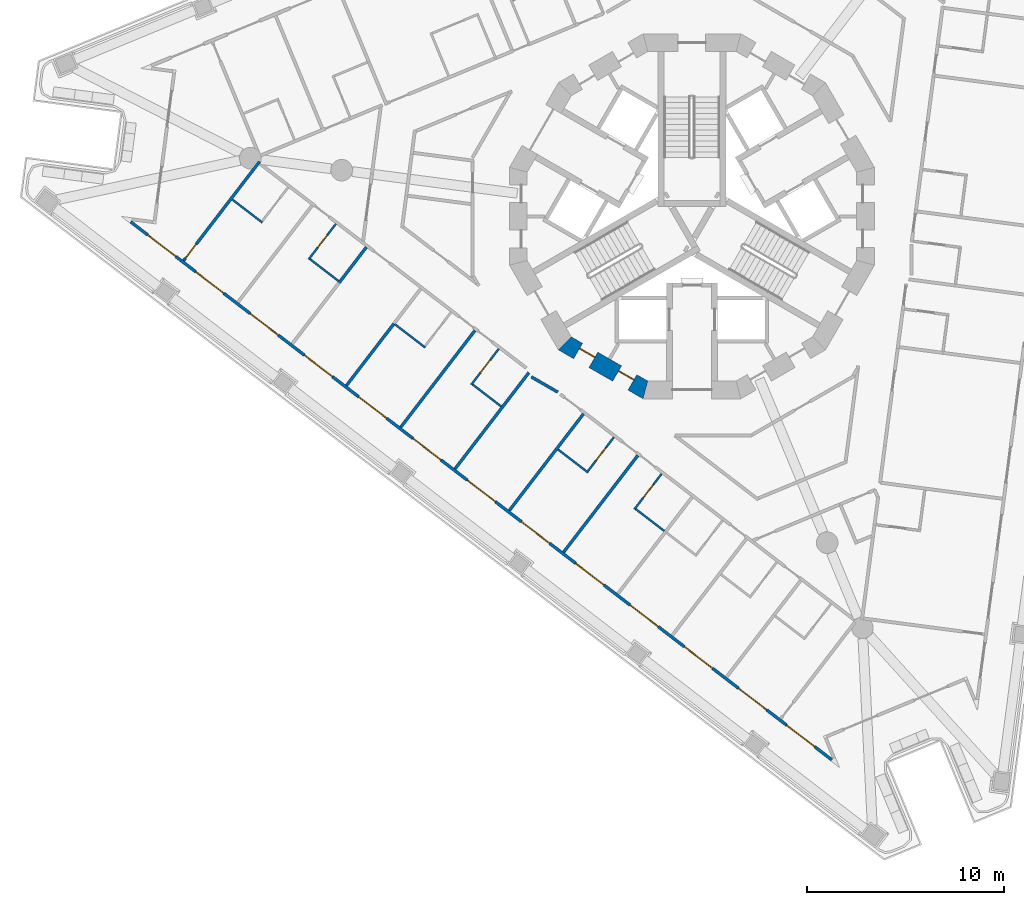
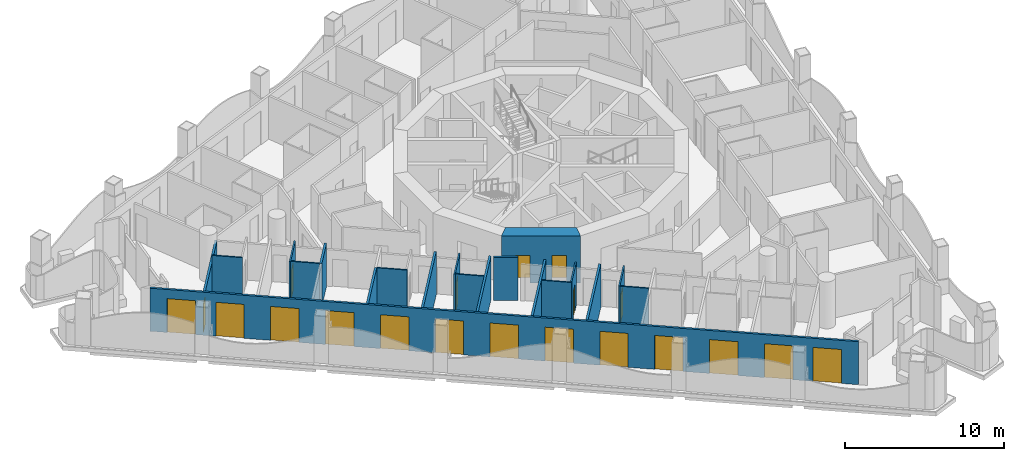
# One storey, part 2 of 18: 20 doors, 20 walls, 20 openings.
"""IFC4 building model written with IfcOpenShell, lengths in metres."""

from ifc_helpers import new_model, si_unit, direction, frame, frame_2d, origin, place, context, subcontext, project, spatial, polyline, rectangle, outline, extrude, material, layer, layer_set, type_object, element, fill, save


model = new_model("IFC4")

# Units and contexts
model_context = context("Model", 3, precision=1e-05, world=origin(), true_north=direction((0.0, 1.0)))
body_context = subcontext(model_context, "Body", "Model", "MODEL_VIEW")
ifc_project = project(units=[si_unit("LENGTHUNIT", "METRE"), si_unit("AREAUNIT", "SQUARE_METRE"), si_unit("VOLUMEUNIT", "CUBIC_METRE"), si_unit("PLANEANGLEUNIT", "RADIAN"), si_unit("MASSUNIT", "GRAM", prefix="KILO")], contexts=[model_context])

# Site, building, storey
site_placement = place(None, origin())
site = spatial("IfcSite", under=ifc_project, at=site_placement, CompositionType="ELEMENT")
building_placement = place(site_placement, origin())
building = spatial("IfcBuilding", under=site, at=building_placement, Name="Trine Commons Tower", CompositionType="ELEMENT")
storey_placement = place(building_placement, frame((0.0, 0.0, 145.800048828125)))
storey = spatial("IfcBuildingStorey", under=building, at=storey_placement, Name="L37", CompositionType="ELEMENT", Elevation=145.800048828125)

# Wall, openings, doors
ifc_material_1 = material(Name="Aluminium-framed insulated wall panel", Category="aluminium")
ifc_layer_1 = layer(ifc_material_1, 0.14990234375)
ifc_layer_set_1 = layer_set([ifc_layer_1], Name="Aluminium-framed insulated wall panel")
wall_type_1 = type_object("IfcWallType", Name="Glazed frame wall 150, EI 60", PredefinedType="SOLIDWALL", material=ifc_layer_set_1)
wall_1_placement = place(storey_placement, frame((87.22509765625, 34.786376953125, 0.0), z_axis=(0.0, 0.0, 1.0), x_axis=(-0.793353605974, 0.608761082764, 0.0)))
wall_1 = element("IfcWall", 1, at=wall_1_placement, inside=storey, type_object=wall_type_1, Name="Glazed frame wall F3", PredefinedType="SOLIDWALL", context=body_context, shape_type="SweptSolid", body=[
    extrude(outline(polyline([(0.1494140625, 0.074951171875), (0.1494140625, -0.074951171875), (45.056884765625, -0.074951171875), (45.056884765625, 0.074951171875), (0.1494140625, 0.074951171875)])), origin(), (0.0, 0.0, 1.0), 3.300048828125),
])
opening_1_placement = place(wall_1_placement, frame((1.23876953125, 0.0, 0.0)))
opening_1 = element("IfcOpeningElement", 2, at=opening_1_placement, cuts=wall_1, Name="Opening BD-4F3-01", PredefinedType="OPENING", context=body_context, shape_type="SweptSolid", body=[
    extrude(rectangle(XDim=1.800048828125, YDim=2.60009765625, at=frame_2d((0.89990234375, 1.300048828125))), frame((0.0, 0.0849609375, 0.0), z_axis=(0.0, -1.0, 0.0), x_axis=(1.0, 0.0, 0.0)), (0.0, 0.0, 1.0), 0.169921875),
])
opening_2_placement = place(wall_1_placement, frame((4.316162109375, 0.0, 0.0)))
opening_2 = element("IfcOpeningElement", 3, at=opening_2_placement, cuts=wall_1, Name="Opening BD-4F3-02", PredefinedType="OPENING", context=body_context, shape_type="SweptSolid", body=[
    extrude(rectangle(XDim=1.800048828125, YDim=2.60009765625, at=frame_2d((0.89990234375, 1.300048828125))), frame((0.0, 0.0849609375, 0.0), z_axis=(0.0, -1.0, 0.0), x_axis=(1.0, 0.0, 0.0)), (0.0, 0.0, 1.0), 0.169921875),
])
opening_3_placement = place(wall_1_placement, frame((7.79345703125, 0.0, 0.0)))
opening_3 = element("IfcOpeningElement", 4, at=opening_3_placement, cuts=wall_1, Name="Opening BD-4F3-03", PredefinedType="OPENING", context=body_context, shape_type="SweptSolid", body=[
    extrude(rectangle(XDim=1.800048828125, YDim=2.60009765625, at=frame_2d((0.89990234375, 1.300048828125))), frame((0.0, 0.0849609375, 0.0), z_axis=(0.0, -1.0, 0.0), x_axis=(1.0, 0.0, 0.0)), (0.0, 0.0, 1.0), 0.169921875),
])
opening_4_placement = place(wall_1_placement, frame((11.27099609375, 0.0, 0.0)))
opening_4 = element("IfcOpeningElement", 5, at=opening_4_placement, cuts=wall_1, Name="Opening BD-4F3-04", PredefinedType="OPENING", context=body_context, shape_type="SweptSolid", body=[
    extrude(rectangle(XDim=1.800048828125, YDim=2.60009765625, at=frame_2d((0.89990234375, 1.300048828125))), frame((0.0, 0.0849609375, 0.0), z_axis=(0.0, -1.0, 0.0), x_axis=(1.0, 0.0, 0.0)), (0.0, 0.0, 1.0), 0.169921875),
])
opening_5_placement = place(wall_1_placement, frame((14.748291015625, 0.0, 0.0)))
opening_5 = element("IfcOpeningElement", 6, at=opening_5_placement, cuts=wall_1, Name="Opening BD-4F3-05", PredefinedType="OPENING", context=body_context, shape_type="SweptSolid", body=[
    extrude(rectangle(XDim=1.800048828125, YDim=2.60009765625, at=frame_2d((0.89990234375, 1.300048828125))), frame((0.0, 0.0849609375, 0.0), z_axis=(0.0, -1.0, 0.0), x_axis=(1.0, 0.0, 0.0)), (0.0, 0.0, 1.0), 0.169921875),
])
opening_6_placement = place(wall_1_placement, frame((18.2255859375, 0.0, 0.0)))
opening_6 = element("IfcOpeningElement", 7, at=opening_6_placement, cuts=wall_1, Name="Opening BD-4F3-06", PredefinedType="OPENING", context=body_context, shape_type="SweptSolid", body=[
    extrude(rectangle(XDim=1.800048828125, YDim=2.60009765625, at=frame_2d((0.89990234375, 1.300048828125))), frame((0.0, 0.0849609375, 0.0), z_axis=(0.0, -1.0, 0.0), x_axis=(1.0, 0.0, 0.0)), (0.0, 0.0, 1.0), 0.169921875),
])
opening_7_placement = place(wall_1_placement, frame((21.703125, 0.0, 0.0)))
opening_7 = element("IfcOpeningElement", 8, at=opening_7_placement, cuts=wall_1, Name="Opening BD-4F3-07", PredefinedType="OPENING", context=body_context, shape_type="SweptSolid", body=[
    extrude(rectangle(XDim=1.800048828125, YDim=2.60009765625, at=frame_2d((0.89990234375, 1.300048828125))), frame((0.0, 0.0849609375, 0.0), z_axis=(0.0, -1.0, 0.0), x_axis=(1.0, 0.0, 0.0)), (0.0, 0.0, 1.0), 0.169921875),
])
opening_8_placement = place(wall_1_placement, frame((25.180419921875, 0.0, 0.0)))
opening_8 = element("IfcOpeningElement", 9, at=opening_8_placement, cuts=wall_1, Name="Opening BD-4F3-08", PredefinedType="OPENING", context=body_context, shape_type="SweptSolid", body=[
    extrude(rectangle(XDim=1.800048828125, YDim=2.60009765625, at=frame_2d((0.89990234375, 1.300048828125))), frame((0.0, 0.0849609375, 0.0), z_axis=(0.0, -1.0, 0.0), x_axis=(1.0, 0.0, 0.0)), (0.0, 0.0, 1.0), 0.169921875),
])
opening_9_placement = place(wall_1_placement, frame((28.657958984375, 0.0, 0.0)))
opening_9 = element("IfcOpeningElement", 10, at=opening_9_placement, cuts=wall_1, Name="Opening BD-4F3-09", PredefinedType="OPENING", context=body_context, shape_type="SweptSolid", body=[
    extrude(rectangle(XDim=1.800048828125, YDim=2.60009765625, at=frame_2d((0.89990234375, 1.300048828125))), frame((0.0, 0.0849609375, 0.0), z_axis=(0.0, -1.0, 0.0), x_axis=(1.0, 0.0, 0.0)), (0.0, 0.0, 1.0), 0.169921875),
])
opening_10_placement = place(wall_1_placement, frame((32.13525390625, 0.0, 0.0)))
opening_10 = element("IfcOpeningElement", 11, at=opening_10_placement, cuts=wall_1, Name="Opening BD-4F3-10", PredefinedType="OPENING", context=body_context, shape_type="SweptSolid", body=[
    extrude(rectangle(XDim=1.800048828125, YDim=2.60009765625, at=frame_2d((0.89990234375, 1.300048828125))), frame((0.0, 0.0849609375, 0.0), z_axis=(0.0, -1.0, 0.0), x_axis=(1.0, 0.0, 0.0)), (0.0, 0.0, 1.0), 0.169921875),
])
opening_11_placement = place(wall_1_placement, frame((35.61279296875, 0.0, 0.0)))
opening_11 = element("IfcOpeningElement", 12, at=opening_11_placement, cuts=wall_1, Name="Opening BD-4F3-11", PredefinedType="OPENING", context=body_context, shape_type="SweptSolid", body=[
    extrude(rectangle(XDim=1.800048828125, YDim=2.60009765625, at=frame_2d((0.89990234375, 1.300048828125))), frame((0.0, 0.0849609375, 0.0), z_axis=(0.0, -1.0, 0.0), x_axis=(1.0, 0.0, 0.0)), (0.0, 0.0, 1.0), 0.169921875),
])
opening_12_placement = place(wall_1_placement, frame((39.090087890625, 0.0, 0.0)))
opening_12 = element("IfcOpeningElement", 13, at=opening_12_placement, cuts=wall_1, Name="Opening BD-4F3-12", PredefinedType="OPENING", context=body_context, shape_type="SweptSolid", body=[
    extrude(rectangle(XDim=1.800048828125, YDim=2.60009765625, at=frame_2d((0.89990234375, 1.300048828125))), frame((0.0, 0.0849609375, 0.0), z_axis=(0.0, -1.0, 0.0), x_axis=(1.0, 0.0, 0.0)), (0.0, 0.0, 1.0), 0.169921875),
])
opening_13_placement = place(wall_1_placement, frame((42.16748046875, 0.0, 0.0)))
opening_13 = element("IfcOpeningElement", 14, at=opening_13_placement, cuts=wall_1, Name="Opening BD-4F3-13", PredefinedType="OPENING", context=body_context, shape_type="SweptSolid", body=[
    extrude(rectangle(XDim=1.800048828125, YDim=2.60009765625, at=frame_2d((0.89990234375, 1.300048828125))), frame((0.0, 0.0849609375, 0.0), z_axis=(0.0, -1.0, 0.0), x_axis=(1.0, 0.0, 0.0)), (0.0, 0.0, 1.0), 0.169921875),
])
ifc_material_2 = material(Name="Anodised aluminium frame with double glazing", Category="aluminium")
door_type_1 = type_object("IfcDoorType", Name="Sliding loggia door 1800x2600", OperationType="SLIDING_TO_LEFT", PredefinedType="DOOR", material=ifc_material_2)
door_1_placement = place(opening_1_placement, origin())
door_1 = element("IfcDoor", 15, at=door_1_placement, inside=storey, type_object=door_type_1, Name="Loggia door F3 1", OperationType="SLIDING_TO_LEFT", OverallHeight=2.60009765625, OverallWidth=1.800048828125, PredefinedType="DOOR", context=body_context, shape_type="SweptSolid", body=[
    extrude(rectangle(XDim=1.800048828125, YDim=2.60009765625, at=frame_2d((0.89990234375, 1.300048828125))), frame((0.0, 0.02490234375, 0.0), z_axis=(0.0, -1.0, 0.0), x_axis=(1.0, 0.0, 0.0)), (0.0, 0.0, 1.0), 0.050048828125),
])
fill(opening_1, door_1)
door_2_placement = place(opening_2_placement, origin())
door_2 = element("IfcDoor", 16, at=door_2_placement, inside=storey, type_object=door_type_1, Name="Loggia door F3 2", OperationType="SLIDING_TO_LEFT", OverallHeight=2.60009765625, OverallWidth=1.800048828125, PredefinedType="DOOR", context=body_context, shape_type="SweptSolid", body=[
    extrude(rectangle(XDim=1.800048828125, YDim=2.60009765625, at=frame_2d((0.89990234375, 1.300048828125))), frame((0.0, 0.02490234375, 0.0), z_axis=(0.0, -1.0, 0.0), x_axis=(1.0, 0.0, 0.0)), (0.0, 0.0, 1.0), 0.050048828125),
])
fill(opening_2, door_2)
door_3_placement = place(opening_3_placement, origin())
door_3 = element("IfcDoor", 17, at=door_3_placement, inside=storey, type_object=door_type_1, Name="Loggia door F3 3", OperationType="SLIDING_TO_LEFT", OverallHeight=2.60009765625, OverallWidth=1.800048828125, PredefinedType="DOOR", context=body_context, shape_type="SweptSolid", body=[
    extrude(rectangle(XDim=1.800048828125, YDim=2.60009765625, at=frame_2d((0.89990234375, 1.300048828125))), frame((0.0, 0.02490234375, 0.0), z_axis=(0.0, -1.0, 0.0), x_axis=(1.0, 0.0, 0.0)), (0.0, 0.0, 1.0), 0.050048828125),
])
fill(opening_3, door_3)
door_4_placement = place(opening_4_placement, origin())
door_4 = element("IfcDoor", 18, at=door_4_placement, inside=storey, type_object=door_type_1, Name="Loggia door F3 4", OperationType="SLIDING_TO_LEFT", OverallHeight=2.60009765625, OverallWidth=1.800048828125, PredefinedType="DOOR", context=body_context, shape_type="SweptSolid", body=[
    extrude(rectangle(XDim=1.800048828125, YDim=2.60009765625, at=frame_2d((0.89990234375, 1.300048828125))), frame((0.0, 0.02490234375, 0.0), z_axis=(0.0, -1.0, 0.0), x_axis=(1.0, 0.0, 0.0)), (0.0, 0.0, 1.0), 0.050048828125),
])
fill(opening_4, door_4)
door_5_placement = place(opening_5_placement, origin())
door_5 = element("IfcDoor", 19, at=door_5_placement, inside=storey, type_object=door_type_1, Name="Loggia door F3 5", OperationType="SLIDING_TO_LEFT", OverallHeight=2.60009765625, OverallWidth=1.800048828125, PredefinedType="DOOR", context=body_context, shape_type="SweptSolid", body=[
    extrude(rectangle(XDim=1.800048828125, YDim=2.60009765625, at=frame_2d((0.89990234375, 1.300048828125))), frame((0.0, 0.02490234375, 0.0), z_axis=(0.0, -1.0, 0.0), x_axis=(1.0, 0.0, 0.0)), (0.0, 0.0, 1.0), 0.050048828125),
])
fill(opening_5, door_5)
door_6_placement = place(opening_6_placement, origin())
door_6 = element("IfcDoor", 20, at=door_6_placement, inside=storey, type_object=door_type_1, Name="Loggia door F3 6", OperationType="SLIDING_TO_LEFT", OverallHeight=2.60009765625, OverallWidth=1.800048828125, PredefinedType="DOOR", context=body_context, shape_type="SweptSolid", body=[
    extrude(rectangle(XDim=1.800048828125, YDim=2.60009765625, at=frame_2d((0.89990234375, 1.300048828125))), frame((0.0, 0.02490234375, 0.0), z_axis=(0.0, -1.0, 0.0), x_axis=(1.0, 0.0, 0.0)), (0.0, 0.0, 1.0), 0.050048828125),
])
fill(opening_6, door_6)
door_7_placement = place(opening_7_placement, origin())
door_7 = element("IfcDoor", 21, at=door_7_placement, inside=storey, type_object=door_type_1, Name="Loggia door F3 7", OperationType="SLIDING_TO_LEFT", OverallHeight=2.60009765625, OverallWidth=1.800048828125, PredefinedType="DOOR", context=body_context, shape_type="SweptSolid", body=[
    extrude(rectangle(XDim=1.800048828125, YDim=2.60009765625, at=frame_2d((0.89990234375, 1.300048828125))), frame((0.0, 0.02490234375, 0.0), z_axis=(0.0, -1.0, 0.0), x_axis=(1.0, 0.0, 0.0)), (0.0, 0.0, 1.0), 0.050048828125),
])
fill(opening_7, door_7)
door_8_placement = place(opening_8_placement, origin())
door_8 = element("IfcDoor", 22, at=door_8_placement, inside=storey, type_object=door_type_1, Name="Loggia door F3 8", OperationType="SLIDING_TO_LEFT", OverallHeight=2.60009765625, OverallWidth=1.800048828125, PredefinedType="DOOR", context=body_context, shape_type="SweptSolid", body=[
    extrude(rectangle(XDim=1.800048828125, YDim=2.60009765625, at=frame_2d((0.89990234375, 1.300048828125))), frame((0.0, 0.02490234375, 0.0), z_axis=(0.0, -1.0, 0.0), x_axis=(1.0, 0.0, 0.0)), (0.0, 0.0, 1.0), 0.050048828125),
])
fill(opening_8, door_8)
door_9_placement = place(opening_9_placement, origin())
door_9 = element("IfcDoor", 23, at=door_9_placement, inside=storey, type_object=door_type_1, Name="Loggia door F3 9", OperationType="SLIDING_TO_LEFT", OverallHeight=2.60009765625, OverallWidth=1.800048828125, PredefinedType="DOOR", context=body_context, shape_type="SweptSolid", body=[
    extrude(rectangle(XDim=1.800048828125, YDim=2.60009765625, at=frame_2d((0.89990234375, 1.300048828125))), frame((0.0, 0.02490234375, 0.0), z_axis=(0.0, -1.0, 0.0), x_axis=(1.0, 0.0, 0.0)), (0.0, 0.0, 1.0), 0.050048828125),
])
fill(opening_9, door_9)
door_10_placement = place(opening_10_placement, origin())
door_10 = element("IfcDoor", 24, at=door_10_placement, inside=storey, type_object=door_type_1, Name="Loggia door F3 10", OperationType="SLIDING_TO_LEFT", OverallHeight=2.60009765625, OverallWidth=1.800048828125, PredefinedType="DOOR", context=body_context, shape_type="SweptSolid", body=[
    extrude(rectangle(XDim=1.800048828125, YDim=2.60009765625, at=frame_2d((0.89990234375, 1.300048828125))), frame((0.0, 0.02490234375, 0.0), z_axis=(0.0, -1.0, 0.0), x_axis=(1.0, 0.0, 0.0)), (0.0, 0.0, 1.0), 0.050048828125),
])
fill(opening_10, door_10)
door_11_placement = place(opening_11_placement, origin())
door_11 = element("IfcDoor", 25, at=door_11_placement, inside=storey, type_object=door_type_1, Name="Loggia door F3 11", OperationType="SLIDING_TO_LEFT", OverallHeight=2.60009765625, OverallWidth=1.800048828125, PredefinedType="DOOR", context=body_context, shape_type="SweptSolid", body=[
    extrude(rectangle(XDim=1.800048828125, YDim=2.60009765625, at=frame_2d((0.89990234375, 1.300048828125))), frame((0.0, 0.02490234375, 0.0), z_axis=(0.0, -1.0, 0.0), x_axis=(1.0, 0.0, 0.0)), (0.0, 0.0, 1.0), 0.050048828125),
])
fill(opening_11, door_11)
door_12_placement = place(opening_12_placement, origin())
door_12 = element("IfcDoor", 26, at=door_12_placement, inside=storey, type_object=door_type_1, Name="Loggia door F3 12", OperationType="SLIDING_TO_LEFT", OverallHeight=2.60009765625, OverallWidth=1.800048828125, PredefinedType="DOOR", context=body_context, shape_type="SweptSolid", body=[
    extrude(rectangle(XDim=1.800048828125, YDim=2.60009765625, at=frame_2d((0.89990234375, 1.300048828125))), frame((0.0, 0.02490234375, 0.0), z_axis=(0.0, -1.0, 0.0), x_axis=(1.0, 0.0, 0.0)), (0.0, 0.0, 1.0), 0.050048828125),
])
fill(opening_12, door_12)
door_13_placement = place(opening_13_placement, origin())
door_13 = element("IfcDoor", 27, at=door_13_placement, inside=storey, type_object=door_type_1, Name="Loggia door F3 13", OperationType="SLIDING_TO_LEFT", OverallHeight=2.60009765625, OverallWidth=1.800048828125, PredefinedType="DOOR", context=body_context, shape_type="SweptSolid", body=[
    extrude(rectangle(XDim=1.800048828125, YDim=2.60009765625, at=frame_2d((0.89990234375, 1.300048828125))), frame((0.0, 0.02490234375, 0.0), z_axis=(0.0, -1.0, 0.0), x_axis=(1.0, 0.0, 0.0)), (0.0, 0.0, 1.0), 0.050048828125),
])
fill(opening_13, door_13)

ifc_material_3 = material(Name="Concrete C70/85", Category="concrete")
ifc_layer_2 = layer(ifc_material_3, 0.89990234375)
ifc_layer_set_2 = layer_set([ifc_layer_2], Name="Concrete C70/85")
wall_type_2 = type_object("IfcWallType", Name="RC shear wall 900 mm, C70/85", PredefinedType="SHEAR", material=ifc_layer_set_2)
wall_2_placement = place(storey_placement, frame((73.436767578125, 56.1015625, 0.0), z_axis=(0.0, 0.0, 1.0), x_axis=(0.866003133579, -0.500038571144, 0.0)))
wall_2 = element("IfcWall", 28, at=wall_2_placement, inside=storey, type_object=wall_type_2, Name="Core wall CWD-09 L37", PredefinedType="SHEAR", context=body_context, shape_type="SweptSolid", body=[
    extrude(outline(polyline([(0.0, -0.449951171875), (4.96923828125, -0.449951171875), (4.72802734375, 0.449951171875), (0.2412109375, 0.449951171875), (0.0, -0.449951171875)])), origin(), (0.0, 0.0, 1.0), 3.599853515625),
])
opening_14_placement = place(wall_2_placement, frame((0.89599609375, 0.0, 0.0)))
opening_14 = element("IfcOpeningElement", 29, at=opening_14_placement, cuts=wall_2, Name="Opening K12.18", PredefinedType="OPENING", context=body_context, shape_type="SweptSolid", body=[
    extrude(rectangle(XDim=0.89990234375, YDim=2.10009765625, at=frame_2d((0.449951171875, 1.050048828125))), frame((0.0, 0.4599609375, 0.0), z_axis=(0.0, -1.0, 0.0), x_axis=(1.0, 0.0, 0.0)), (0.0, 0.0, 1.0), 0.919921875),
])
opening_15_placement = place(wall_2_placement, frame((3.18505859375, 0.0, 0.0)))
opening_15 = element("IfcOpeningElement", 30, at=opening_15_placement, cuts=wall_2, Name="Opening K12.19", PredefinedType="OPENING", context=body_context, shape_type="SweptSolid", body=[
    extrude(rectangle(XDim=0.89990234375, YDim=2.10009765625, at=frame_2d((0.449951171875, 1.050048828125))), frame((0.0, 0.4599609375, 0.0), z_axis=(0.0, -1.0, 0.0), x_axis=(1.0, 0.0, 0.0)), (0.0, 0.0, 1.0), 0.919921875),
])
ifc_material_4 = material(Name="Steel door leaf, fire-rated", Category="steel")
door_type_2 = type_object("IfcDoorType", Name="Core room door, single leaf 900 x 2100, FD30S", OperationType="SINGLE_SWING_LEFT", PredefinedType="DOOR", material=ifc_material_4)
door_14_placement = place(opening_14_placement, origin())
door_14 = element("IfcDoor", 31, at=door_14_placement, inside=storey, type_object=door_type_2, Name="Door to Print room L37", OperationType="SINGLE_SWING_LEFT", OverallHeight=2.10009765625, OverallWidth=0.89990234375, PredefinedType="DOOR", context=body_context, shape_type="SweptSolid", body=[
    extrude(rectangle(XDim=0.89990234375, YDim=2.10009765625, at=frame_2d((0.449951171875, 1.050048828125))), frame((0.0, 0.1748046875, 0.0), z_axis=(0.0, -1.0, 0.0), x_axis=(1.0, 0.0, 0.0)), (0.0, 0.0, 1.0), 0.050048828125),
])
fill(opening_14, door_14)
door_15_placement = place(opening_15_placement, origin())
door_15 = element("IfcDoor", 32, at=door_15_placement, inside=storey, type_object=door_type_2, Name="Door to Core WC L37", OperationType="SINGLE_SWING_RIGHT", OverallHeight=2.10009765625, OverallWidth=0.89990234375, PredefinedType="DOOR", context=body_context, shape_type="SweptSolid", body=[
    extrude(rectangle(XDim=0.89990234375, YDim=2.10009765625, at=frame_2d((0.449951171875, 1.050048828125))), frame((0.0, 0.1748046875, 0.0), z_axis=(0.0, -1.0, 0.0), x_axis=(1.0, 0.0, 0.0)), (0.0, 0.0, 1.0), 0.050048828125),
])
fill(opening_15, door_15)

# Wall, opening, door
ifc_material_5 = material(Name="Gypsum plasterboard on steel stud", Category="steel")
ifc_layer_3 = layer(ifc_material_5, 0.14990234375)
ifc_layer_set_3 = layer_set([ifc_layer_3], Name="Gypsum plasterboard on steel stud")
wall_type_3 = type_object("IfcWallType", Name="Unit and corridor wall 150 mm, EI 60", PredefinedType="PARTITIONING", material=ifc_layer_set_3)
wall_3_placement = place(storey_placement, frame((54.165283203125, 60.248779296875, 0.0), z_axis=(0.0, 0.0, 1.0), x_axis=(0.608817658648, 0.793310190605, 0.0)))
wall_3 = element("IfcWall", 33, at=wall_3_placement, inside=storey, type_object=wall_type_3, Name="Partition 001", PredefinedType="PARTITIONING", context=body_context, shape_type="SweptSolid", body=[
    extrude(rectangle(XDim=6.343994140625, YDim=0.14990234375, at=frame_2d((3.171875, 0.0))), origin(), (0.0, 0.0, 1.0), 2.800048828125),
])
opening_16_placement = place(wall_3_placement, frame((0.14990234375, 0.0, 0.0)))
opening_16 = element("IfcOpeningElement", 34, at=opening_16_placement, cuts=wall_3, Name="Opening D-4C32", PredefinedType="OPENING", context=body_context, shape_type="SweptSolid", body=[
    extrude(rectangle(XDim=0.89990234375, YDim=2.10009765625, at=frame_2d((0.449951171875, 1.050048828125))), frame((0.0, 0.0849609375, 0.0), z_axis=(0.0, -1.0, 0.0), x_axis=(1.0, 0.0, 0.0)), (0.0, 0.0, 1.0), 0.169921875),
])
ifc_material_6 = material(Name="Timber fire door set", Category="wood")
door_type_3 = type_object("IfcDoorType", Name="Bedroom door 900 x 2100, FD30S", OperationType="NOTDEFINED", PredefinedType="DOOR", material=ifc_material_6)
door_16_placement = place(opening_16_placement, frame((0.89990234375, 0.0, 0.0), z_axis=(0.0, 0.0, 1.0), x_axis=(-1.0, 0.0, 0.0)))
door_16 = element("IfcDoor", 35, at=door_16_placement, inside=storey, type_object=door_type_3, Name="Door D-4C32", OperationType="SINGLE_SWING_RIGHT", OverallHeight=2.10009765625, OverallWidth=0.89990234375, PredefinedType="DOOR", context=body_context, shape_type="SweptSolid", body=[
    extrude(rectangle(XDim=0.89990234375, YDim=2.10009765625, at=frame_2d((0.449951171875, 1.050048828125))), frame((0.0, 0.02490234375, 0.0), z_axis=(0.0, -1.0, 0.0), x_axis=(1.0, 0.0, 0.0)), (0.0, 0.0, 1.0), 0.050048828125),
])
fill(opening_16, door_16)

# Walls
wall_4_placement = place(storey_placement, frame((62.066650390625, 59.121337890625, 0.0), z_axis=(0.0, 0.0, 1.0), x_axis=(0.608570992326, 0.793499431191, 0.0)))
element("IfcWall", 36, at=wall_4_placement, inside=storey, type_object=wall_type_3, Name="Partition 017", PredefinedType="PARTITIONING", context=body_context, shape_type="SweptSolid", body=[
    extrude(rectangle(XDim=2.278564453125, YDim=0.14990234375, at=frame_2d((1.13916015625, 0.0))), origin(), (0.0, 0.0, 1.0), 3.300048828125),
])
wall_5_placement = place(storey_placement, frame((62.44140625, 53.897705078125, 0.0), z_axis=(0.0, 0.0, 1.0), x_axis=(0.608741371631, 0.793368730455, 0.0)))
element("IfcWall", 37, at=wall_5_placement, inside=storey, type_object=wall_type_3, Name="Partition 018", PredefinedType="PARTITIONING", context=body_context, shape_type="SweptSolid", body=[
    extrude(rectangle(XDim=3.9697265625, YDim=0.14990234375, at=frame_2d((1.98486328125, 0.0))), origin(), (0.0, 0.0, 1.0), 3.300048828125),
])
wall_6_placement = place(storey_placement, frame((65.2001953125, 51.78076171875, 0.0), z_axis=(0.0, 0.0, 1.0), x_axis=(0.608735145032, 0.793373508004, 0.0)))
element("IfcWall", 38, at=wall_6_placement, inside=storey, type_object=wall_type_3, Name="Partition 027", PredefinedType="PARTITIONING", context=body_context, shape_type="SweptSolid", body=[
    extrude(rectangle(XDim=6.19482421875, YDim=0.14990234375, at=frame_2d((3.097412109375, 0.0))), origin(), (0.0, 0.0, 1.0), 3.300048828125),
])
wall_7_placement = place(storey_placement, frame((67.959228515625, 49.664794921875, 0.0), z_axis=(0.0, 0.0, 1.0), x_axis=(0.608744029894, 0.793366690798, 0.0)))
element("IfcWall", 39, at=wall_7_placement, inside=storey, type_object=wall_type_3, Name="Partition 038", PredefinedType="PARTITIONING", context=body_context, shape_type="SweptSolid", body=[
    extrude(rectangle(XDim=6.166259765625, YDim=0.14990234375, at=frame_2d((3.0830078125, 0.0))), origin(), (0.0, 0.0, 1.0), 3.300048828125),
])
wall_8_placement = place(storey_placement, frame((70.71826171875, 47.547607421875, 0.0), z_axis=(0.0, 0.0, 1.0), x_axis=(0.608712047114, 0.79339122991, 0.0)))
element("IfcWall", 40, at=wall_8_placement, inside=storey, type_object=wall_type_3, Name="Partition 047", PredefinedType="PARTITIONING", context=body_context, shape_type="SweptSolid", body=[
    extrude(rectangle(XDim=6.193359375, YDim=0.14990234375, at=frame_2d((3.0966796875, 0.0))), origin(), (0.0, 0.0, 1.0), 3.300048828125),
])
wall_9_placement = place(storey_placement, frame((71.839111328125, 54.339111328125, 0.0), z_axis=(0.0, 0.0, 1.0), x_axis=(0.866054481515, -0.499949632511, 0.0)))
element("IfcWall", 41, at=wall_9_placement, inside=storey, type_object=wall_type_3, Name="Partition 052", PredefinedType="PARTITIONING", context=body_context, shape_type="SweptSolid", body=[
    extrude(rectangle(XDim=1.550537109375, YDim=0.14990234375, at=frame_2d((0.775390625, 0.0))), origin(), (0.0, 0.0, 1.0), 3.300048828125),
])
wall_10_placement = place(storey_placement, frame((73.476318359375, 45.4306640625, 0.0), z_axis=(0.0, 0.0, 1.0), x_axis=(0.608811285709, 0.79331508141, 0.0)))
element("IfcWall", 42, at=wall_10_placement, inside=storey, type_object=wall_type_3, Name="Partition 056", PredefinedType="PARTITIONING", context=body_context, shape_type="SweptSolid", body=[
    extrude(rectangle(XDim=6.194091796875, YDim=0.14990234375, at=frame_2d((3.09716796875, 0.0))), origin(), (0.0, 0.0, 1.0), 3.300048828125),
])
ifc_layer_4 = layer(ifc_material_5, 0.10009765625)
ifc_layer_set_4 = layer_set([ifc_layer_4], Name="Gypsum plasterboard on steel stud")
wall_type_4 = type_object("IfcWallType", Name="Unit partition 100 mm, no rating", PredefinedType="PARTITIONING", material=ifc_layer_set_4)
wall_11_placement = place(storey_placement, frame((56.640380859375, 63.352294921875, 0.0), z_axis=(0.0, 0.0, 1.0), x_axis=(0.793438942522, -0.608649853766, 0.0)))
element("IfcWall", 43, at=wall_11_placement, inside=storey, type_object=wall_type_4, Name="Partition 003", PredefinedType="PARTITIONING", context=body_context, shape_type="SweptSolid", body=[
    extrude(rectangle(XDim=1.925048828125, YDim=0.10009765625, at=frame_2d((0.96240234375, 0.0))), origin(), (0.0, 0.0, 1.0), 3.300048828125),
])

# Wall, opening, door
wall_12_placement = place(storey_placement, frame((60.521484375, 60.311279296875, 0.0), z_axis=(0.0, 0.0, 1.0), x_axis=(0.608719842686, 0.793385248867, 0.0)))
wall_12 = element("IfcWall", 44, at=wall_12_placement, inside=storey, type_object=wall_type_4, Name="Partition 012", PredefinedType="PARTITIONING", context=body_context, shape_type="SweptSolid", body=[
    extrude(rectangle(XDim=2.275390625, YDim=0.10009765625, at=frame_2d((1.1376953125, 0.0))), origin(), (0.0, 0.0, 1.0), 3.300048828125),
])
opening_17_placement = place(wall_12_placement, frame((0.762451171875, 0.0, 0.0)))
opening_17 = element("IfcOpeningElement", 45, at=opening_17_placement, cuts=wall_12, Name="Opening D-4C60", PredefinedType="OPENING", context=body_context, shape_type="SweptSolid", body=[
    extrude(rectangle(XDim=0.800048828125, YDim=2.10009765625, at=frame_2d((0.39990234375, 1.050048828125))), frame((0.0, 0.06005859375, 0.0), z_axis=(0.0, -1.0, 0.0), x_axis=(1.0, 0.0, 0.0)), (0.0, 0.0, 1.0), 0.1201171875),
])
ifc_material_7 = material(Name="Painted timber", Category="wood")
door_type_4 = type_object("IfcDoorType", Name="Internal door 800 x 2100, NOT RATED", OperationType="NOTDEFINED", PredefinedType="DOOR", material=ifc_material_7)
door_17_placement = place(opening_17_placement, origin())
door_17 = element("IfcDoor", 46, at=door_17_placement, inside=storey, type_object=door_type_4, Name="Door D-4C60", OperationType="SINGLE_SWING_RIGHT", OverallHeight=2.10009765625, OverallWidth=0.800048828125, PredefinedType="DOOR", context=body_context, shape_type="SweptSolid", body=[
    extrude(rectangle(XDim=0.800048828125, YDim=2.10009765625, at=frame_2d((0.39990234375, 1.050048828125))), frame((0.0, 0.02490234375, 0.0), z_axis=(0.0, -1.0, 0.0), x_axis=(1.0, 0.0, 0.0)), (0.0, 0.0, 1.0), 0.050048828125),
])
fill(opening_17, door_17)

# Walls
wall_13_placement = place(storey_placement, frame((60.591796875, 60.320556640625, 0.0), z_axis=(0.0, 0.0, 1.0), x_axis=(0.793369431695, -0.608740457709, 0.0)))
element("IfcWall", 47, at=wall_13_placement, inside=storey, type_object=wall_type_4, Name="Partition 013", PredefinedType="PARTITIONING", context=body_context, shape_type="SweptSolid", body=[
    extrude(rectangle(XDim=1.82470703125, YDim=0.10009765625, at=frame_2d((0.912353515625, 0.0))), origin(), (0.0, 0.0, 1.0), 3.300048828125),
])
wall_14_placement = place(storey_placement, frame((64.91748046875, 57.001220703125, 0.0), z_axis=(0.0, 0.0, 1.0), x_axis=(0.793391951231, -0.608711106948, 0.0)))
element("IfcWall", 48, at=wall_14_placement, inside=storey, type_object=wall_type_4, Name="Partition 026", PredefinedType="PARTITIONING", context=body_context, shape_type="SweptSolid", body=[
    extrude(rectangle(XDim=1.9248046875, YDim=0.10009765625, at=frame_2d((0.96240234375, 0.0))), origin(), (0.0, 0.0, 1.0), 3.300048828125),
])

# Wall, opening, door
wall_15_placement = place(storey_placement, frame((68.78369140625, 53.9423828125, 0.0), z_axis=(0.0, 0.0, 1.0), x_axis=(0.608986677523, 0.793180450212, 0.0)))
wall_15 = element("IfcWall", 49, at=wall_15_placement, inside=storey, type_object=wall_type_4, Name="Partition 040", PredefinedType="PARTITIONING", context=body_context, shape_type="SweptSolid", body=[
    extrude(rectangle(XDim=2.29833984375, YDim=0.10009765625, at=frame_2d((1.149169921875, 0.0))), origin(), (0.0, 0.0, 1.0), 3.300048828125),
])
opening_18_placement = place(wall_15_placement, frame((0.7744140625, 0.0, 0.0)))
opening_18 = element("IfcOpeningElement", 50, at=opening_18_placement, cuts=wall_15, Name="Opening D-4C58", PredefinedType="OPENING", context=body_context, shape_type="SweptSolid", body=[
    extrude(rectangle(XDim=0.800048828125, YDim=2.10009765625, at=frame_2d((0.39990234375, 1.050048828125))), frame((0.0, 0.06005859375, 0.0), z_axis=(0.0, -1.0, 0.0), x_axis=(1.0, 0.0, 0.0)), (0.0, 0.0, 1.0), 0.1201171875),
])
door_18_placement = place(opening_18_placement, origin())
door_18 = element("IfcDoor", 51, at=door_18_placement, inside=storey, type_object=door_type_4, Name="Door D-4C58", OperationType="SINGLE_SWING_RIGHT", OverallHeight=2.10009765625, OverallWidth=0.800048828125, PredefinedType="DOOR", context=body_context, shape_type="SweptSolid", body=[
    extrude(rectangle(XDim=0.800048828125, YDim=2.10009765625, at=frame_2d((0.39990234375, 1.050048828125))), frame((0.0, 0.02490234375, 0.0), z_axis=(0.0, -1.0, 0.0), x_axis=(1.0, 0.0, 0.0)), (0.0, 0.0, 1.0), 0.050048828125),
])
fill(opening_18, door_18)

# Walls
wall_16_placement = place(storey_placement, frame((68.853759765625, 53.95166015625, 0.0), z_axis=(0.0, 0.0, 1.0), x_axis=(0.793369431695, -0.608740457709, 0.0)))
element("IfcWall", 52, at=wall_16_placement, inside=storey, type_object=wall_type_4, Name="Partition 041", PredefinedType="PARTITIONING", context=body_context, shape_type="SweptSolid", body=[
    extrude(rectangle(XDim=1.82470703125, YDim=0.10009765625, at=frame_2d((0.912353515625, 0.0))), origin(), (0.0, 0.0, 1.0), 3.300048828125),
])
wall_17_placement = place(storey_placement, frame((73.193603515625, 50.650390625, 0.0), z_axis=(0.0, 0.0, 1.0), x_axis=(0.793330694412, -0.608790940556, 0.0)))
element("IfcWall", 53, at=wall_17_placement, inside=storey, type_object=wall_type_4, Name="Partition 053", PredefinedType="PARTITIONING", context=body_context, shape_type="SweptSolid", body=[
    extrude(rectangle(XDim=1.9248046875, YDim=0.10009765625, at=frame_2d((0.96240234375, 0.0))), origin(), (0.0, 0.0, 1.0), 3.300048828125),
])

# Wall, opening, door
wall_18_placement = place(storey_placement, frame((74.71142578125, 49.548583984375, 0.0), z_axis=(0.0, 0.0, 1.0), x_axis=(0.608674216197, 0.79342025342, 0.0)))
wall_18 = element("IfcWall", 54, at=wall_18_placement, inside=storey, type_object=wall_type_4, Name="Partition 060", PredefinedType="PARTITIONING", context=body_context, shape_type="SweptSolid", body=[
    extrude(rectangle(XDim=2.17529296875, YDim=0.10009765625, at=frame_2d((1.087646484375, 0.0))), origin(), (0.0, 0.0, 1.0), 3.300048828125),
])
opening_19_placement = place(wall_18_placement, frame((0.6875, 0.0, 0.0)))
opening_19 = element("IfcOpeningElement", 55, at=opening_19_placement, cuts=wall_18, Name="Opening D-4C57", PredefinedType="OPENING", context=body_context, shape_type="SweptSolid", body=[
    extrude(rectangle(XDim=0.800048828125, YDim=2.10009765625, at=frame_2d((0.39990234375, 1.050048828125))), frame((0.0, 0.06005859375, 0.0), z_axis=(0.0, -1.0, 0.0), x_axis=(1.0, 0.0, 0.0)), (0.0, 0.0, 1.0), 0.1201171875),
])
door_19_placement = place(opening_19_placement, frame((0.800048828125, 0.0, 0.0), z_axis=(0.0, 0.0, 1.0), x_axis=(-1.0, 0.0, 0.0)))
door_19 = element("IfcDoor", 56, at=door_19_placement, inside=storey, type_object=door_type_4, Name="Door D-4C57", OperationType="SINGLE_SWING_LEFT", OverallHeight=2.10009765625, OverallWidth=0.800048828125, PredefinedType="DOOR", context=body_context, shape_type="SweptSolid", body=[
    extrude(rectangle(XDim=0.800048828125, YDim=2.10009765625, at=frame_2d((0.39990234375, 1.050048828125))), frame((0.0, 0.02490234375, 0.0), z_axis=(0.0, -1.0, 0.0), x_axis=(1.0, 0.0, 0.0)), (0.0, 0.0, 1.0), 0.050048828125),
])
fill(opening_19, door_19)

wall_19_placement = place(storey_placement, frame((77.07470703125, 47.6103515625, 0.0), z_axis=(0.0, 0.0, 1.0), x_axis=(0.60879207473, 0.793329824062, 0.0)))
wall_19 = element("IfcWall", 57, at=wall_19_placement, inside=storey, type_object=wall_type_4, Name="Partition 064", PredefinedType="PARTITIONING", context=body_context, shape_type="SweptSolid", body=[
    extrude(rectangle(XDim=2.274169921875, YDim=0.10009765625, at=frame_2d((1.13720703125, 0.0))), origin(), (0.0, 0.0, 1.0), 3.300048828125),
])
opening_20_placement = place(wall_19_placement, frame((0.76220703125, 0.0, 0.0)))
opening_20 = element("IfcOpeningElement", 58, at=opening_20_placement, cuts=wall_19, Name="Opening D-4C56", PredefinedType="OPENING", context=body_context, shape_type="SweptSolid", body=[
    extrude(rectangle(XDim=0.800048828125, YDim=2.10009765625, at=frame_2d((0.39990234375, 1.050048828125))), frame((0.0, 0.06005859375, 0.0), z_axis=(0.0, -1.0, 0.0), x_axis=(1.0, 0.0, 0.0)), (0.0, 0.0, 1.0), 0.1201171875),
])
door_20_placement = place(opening_20_placement, origin())
door_20 = element("IfcDoor", 59, at=door_20_placement, inside=storey, type_object=door_type_4, Name="Door D-4C56", OperationType="SINGLE_SWING_RIGHT", OverallHeight=2.10009765625, OverallWidth=0.800048828125, PredefinedType="DOOR", context=body_context, shape_type="SweptSolid", body=[
    extrude(rectangle(XDim=0.800048828125, YDim=2.10009765625, at=frame_2d((0.39990234375, 1.050048828125))), frame((0.0, 0.02490234375, 0.0), z_axis=(0.0, -1.0, 0.0), x_axis=(1.0, 0.0, 0.0)), (0.0, 0.0, 1.0), 0.050048828125),
])
fill(opening_20, door_20)

# Wall
wall_20_placement = place(storey_placement, frame((77.144775390625, 47.619384765625, 0.0), z_axis=(0.0, 0.0, 1.0), x_axis=(0.79317559606, -0.608992999808, 0.0)))
element("IfcWall", 60, at=wall_20_placement, inside=storey, type_object=wall_type_4, Name="Partition 065", PredefinedType="PARTITIONING", context=body_context, shape_type="SweptSolid", body=[
    extrude(rectangle(XDim=1.8251953125, YDim=0.10009765625, at=frame_2d((0.91259765625, 0.0))), origin(), (0.0, 0.0, 1.0), 3.300048828125),
])

save(model, "model.ifc")
